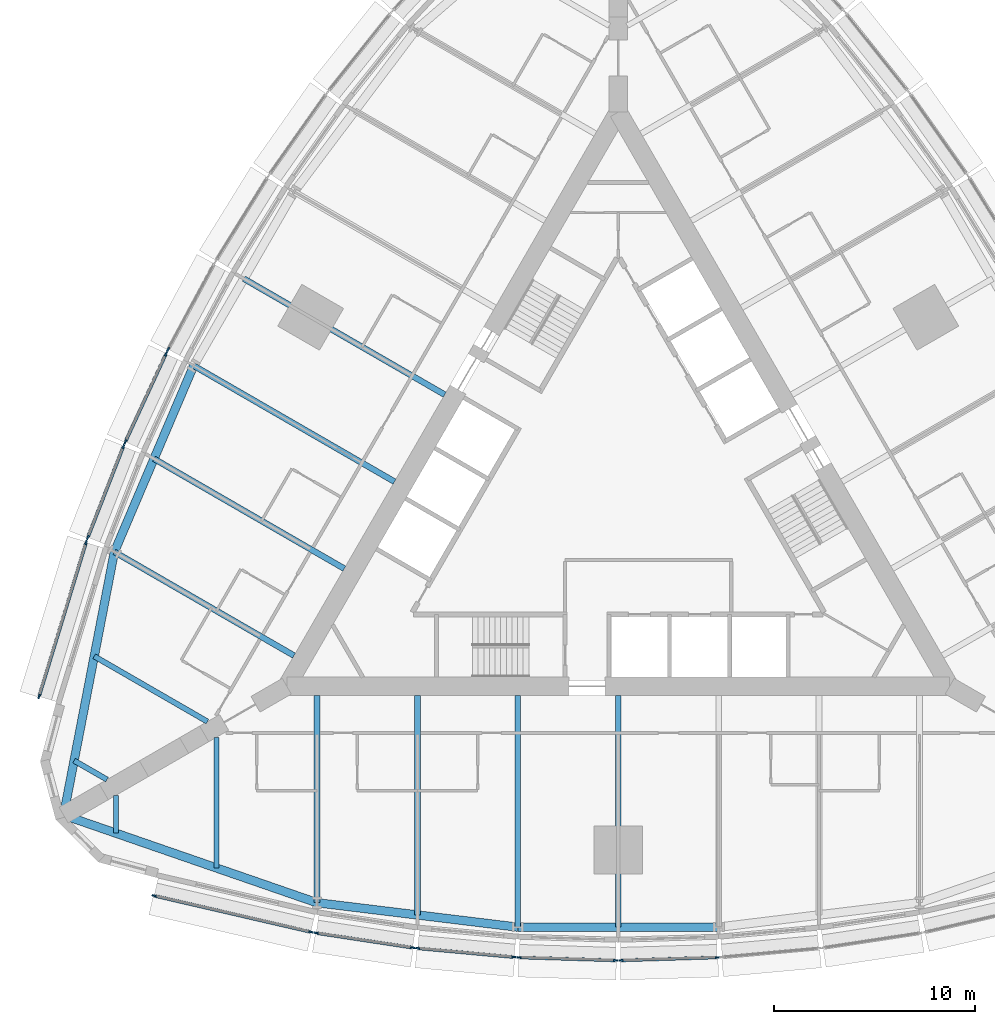
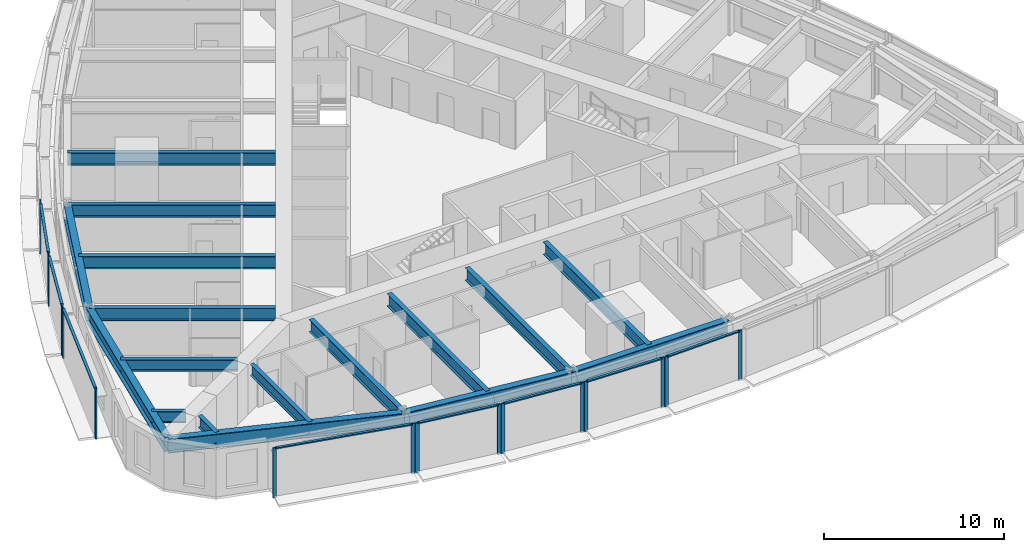
# One storey, part 2 of 14: 25 members, 17 beams, 9 elements without a shape of their own.
"""IFC4 building model written with IfcOpenShell, lengths in metres."""

import ifcopenshell
import ifcopenshell.guid

model = None  # the IFC model being written
_history = None  # IfcOwnerHistory: only IFC2X3 demands one
_inside = {}  # id of a spatial element -> (the spatial element, [elements in it])
_under = {}  # id of a project, library or spatial element -> (it, [spatial elements below it])
_declared = {}  # id of a project -> (the project, [libraries it declares])
_typed = {}  # id of a type object -> (the type object, [elements of that type])
_made_of = {}  # id of a material, layer set ... -> (it, [elements and type objects made of it])


def new_model(schema):
    """Start an empty IFC model of exactly this schema.

    Asked for "IFC4X3", IfcOpenShell would pick the latest addendum, in which some entities
    have other attributes; the version numbers below select the first issue.
    IFC2X3 requires an IfcOwnerHistory on every rooted entity: one is made here for all.
    """
    global model, _history
    if schema == "IFC4X3":
        model = ifcopenshell.file(schema_version=(4, 3, 0, 0))
    else:
        model = ifcopenshell.file(schema=schema)
    _inside.clear()
    _under.clear()
    _declared.clear()
    _typed.clear()
    _made_of.clear()
    _history = None
    if model.schema == "IFC2X3":
        org = make("IfcOrganization", Name="unknown")
        user = make(
            "IfcPersonAndOrganization",
            ThePerson=make("IfcPerson", FamilyName="unknown"),
            TheOrganization=org,
        )
        app = make(
            "IfcApplication",
            ApplicationDeveloper=org,
            Version="unknown",
            ApplicationFullName="unknown",
            ApplicationIdentifier="unknown",
        )
        _history = make(
            "IfcOwnerHistory",
            OwningUser=user,
            OwningApplication=app,
            ChangeAction="ADDED",
            CreationDate=0,
        )
    return model


def make(cls, **values):
    """One entity of the class cls with the attributes given. An attribute that is None is left unset."""
    return model.create_entity(
        cls, **{name: value for name, value in values.items() if value is not None}
    )


def rooted(cls, **values):
    """An entity with a GlobalId (a new one), such as an element, a storey or a relation."""
    return make(cls, GlobalId=ifcopenshell.guid.new(), OwnerHistory=_history, **values)


def si_unit(unit_type, name, prefix=None):
    """IfcSIUnit, for example si_unit("LENGTHUNIT", "METRE", prefix="MILLI")."""
    return make("IfcSIUnit", UnitType=unit_type, Prefix=prefix, Name=name)


def assignment(units):
    """IfcUnitAssignment: the units of a project."""
    return None if units is None else make("IfcUnitAssignment", Units=units)


def point(xyz):
    """IfcCartesianPoint."""
    return None if xyz is None else make("IfcCartesianPoint", Coordinates=xyz)


def direction(xyz):
    """IfcDirection."""
    return None if xyz is None else make("IfcDirection", DirectionRatios=xyz)


def frame(location, z_axis=None, x_axis=None):
    """IfcAxis2Placement3D, a coordinate frame: its origin and axes. An axis left out is left unset."""
    return make(
        "IfcAxis2Placement3D",
        Location=point(location),
        Axis=direction(z_axis),
        RefDirection=direction(x_axis),
    )


def frame_2d(location, x_axis=None):
    """IfcAxis2Placement2D, a coordinate frame in the plane: its origin and x axis."""
    return make(
        "IfcAxis2Placement2D", Location=point(location), RefDirection=direction(x_axis)
    )


def origin():
    """The frame at (0, 0, 0) with its axes left unset."""
    return frame((0.0, 0.0, 0.0))


def origin_2d():
    """The frame at (0, 0) in the plane with its x axis left unset."""
    return frame_2d((0.0, 0.0))


def place(relative_to, where):
    """IfcLocalPlacement: puts the frame where relative to a parent placement (None: the world)."""
    return make(
        "IfcLocalPlacement", PlacementRelTo=relative_to, RelativePlacement=where
    )


def context(
    kind, dimensions, precision=None, world=None, true_north=None, identifier=None
):
    """IfcGeometricRepresentationContext, for example the 3D "Model" context."""
    return make(
        "IfcGeometricRepresentationContext",
        ContextIdentifier=identifier,
        ContextType=kind,
        CoordinateSpaceDimension=dimensions,
        Precision=precision,
        WorldCoordinateSystem=world,
        TrueNorth=true_north,
    )


def subcontext(parent, identifier, kind, view, scale=None):
    """IfcGeometricRepresentationSubContext, for example "Body" below "Model"."""
    return make(
        "IfcGeometricRepresentationSubContext",
        ContextIdentifier=identifier,
        ContextType=kind,
        ParentContext=parent,
        TargetScale=scale,
        TargetView=view,
    )


def project(units=None, contexts=None):
    """IfcProject with its units and contexts."""
    return rooted(
        "IfcProject",
        Name="project",
        RepresentationContexts=contexts,
        UnitsInContext=assignment(units),
    )


def spatial(cls, under=None, at=None, **own):
    """A site, building, storey or space (cls), placed at a placement, below another one or the project."""
    s = rooted(cls, ObjectPlacement=at, **own)
    if under is not None:
        _under.setdefault(under.id(), (under, []))[1].append(s)
    return s


def profile(cls, at=None, kind="AREA", **sizes):
    """A parametric profile (cls). Its sizes go by their IFC names, for example OverallWidth=200.0."""
    return make(cls, ProfileType=kind, Position=at, **sizes)


def rectangle(**sizes):
    """IfcRectangleProfileDef."""
    return profile("IfcRectangleProfileDef", **sizes)


def i_section(**sizes):
    """IfcIShapeProfileDef."""
    return profile("IfcIShapeProfileDef", **sizes)


def extrude(swept, where, along, depth):
    """IfcExtrudedAreaSolid: the profile swept, set in the frame where, extruded along a direction by depth."""
    return make(
        "IfcExtrudedAreaSolid",
        SweptArea=swept,
        Position=where,
        ExtrudedDirection=direction(along),
        Depth=depth,
    )


def shape(context_of_items, identifier, shape_type, items):
    """IfcShapeRepresentation: the items that make up one representation, for example the "Body"."""
    return make(
        "IfcShapeRepresentation",
        ContextOfItems=context_of_items,
        RepresentationIdentifier=identifier,
        RepresentationType=shape_type,
        Items=items,
    )


def material(Name=None, Category=None):
    """IfcMaterial."""
    return make("IfcMaterial", Name=Name, Category=Category)


def material_profile(
    of_material, cross_section, Name=None, Category=None, Priority=None
):
    """IfcMaterialProfile: a cross section and its material."""
    return make(
        "IfcMaterialProfile",
        Name=Name,
        Material=of_material,
        Profile=cross_section,
        Priority=Priority,
        Category=Category,
    )


def profile_set(profiles, Name=None, composite=None):
    """IfcMaterialProfileSet."""
    return make(
        "IfcMaterialProfileSet",
        Name=Name,
        MaterialProfiles=profiles,
        CompositeProfile=composite,
    )


def made_of(thing, what):
    """Note that an element or type object is made of a material, layer set ...; save() writes the relation."""
    if what is not None:
        _made_of.setdefault(what.id(), (what, []))[1].append(thing)
    return thing


def type_object(cls, material=None, **own):
    """A type object (cls), such as IfcWallType, which elements share."""
    return made_of(rooted(cls, **own), material)


def element(
    cls,
    number,
    at=None,
    inside=None,
    cuts=None,
    type_object=None,
    material=None,
    context=None,
    identifier="Body",
    shape_type=None,
    held_by="IfcProductDefinitionShape",
    body=None,
    shapes=None,
    **own,
):
    """One element of the class cls, such as IfcWall. Its Tag is "e" and its number.

    at: its placement. inside: the storey or other place that contains it. cuts: it is an
    opening in that element (IfcRelVoidsElement). A single representation is given by context,
    identifier, shape_type and body (its items); several are given by shapes. held_by: the class
    of the entity that holds the representations. save() writes the other relations.
    """
    e = rooted(cls, Tag="e%d" % number, ObjectPlacement=at, **own)
    if body is not None:
        shapes = [shape(context, identifier, shape_type, body)]
    if shapes is not None:
        e.Representation = make(held_by, Representations=shapes)
    if inside is not None:
        _inside.setdefault(inside.id(), (inside, []))[1].append(e)
    if cuts is not None:
        rooted(
            "IfcRelVoidsElement", RelatingBuildingElement=cuts, RelatedOpeningElement=e
        )
    if type_object is not None:
        _typed.setdefault(type_object.id(), (type_object, []))[1].append(e)
    return made_of(e, material)


def aggregate(whole, parts):
    """IfcRelAggregates: a whole, such as a stair, and the parts it consists of."""
    return rooted("IfcRelAggregates", RelatingObject=whole, RelatedObjects=parts)


def save(model, path):
    """Write the relations noted so far, then the file.

    IfcRelAggregates (storeys below a building ...), IfcRelContainedInSpatialStructure (elements
    in a storey), IfcRelDefinesByType, IfcRelAssociatesMaterial and IfcRelDeclares: one each for
    every whole, place, type object, material and project.
    """
    for whole, parts in _under.values():
        aggregate(whole, parts)
    for where, things in _inside.values():
        rooted(
            "IfcRelContainedInSpatialStructure",
            RelatedElements=things,
            RelatingStructure=where,
        )
    for kind, things in _typed.values():
        rooted("IfcRelDefinesByType", RelatedObjects=things, RelatingType=kind)
    for what, things in _made_of.values():
        rooted("IfcRelAssociatesMaterial", RelatedObjects=things, RelatingMaterial=what)
    for by, libraries in _declared.values():
        rooted("IfcRelDeclares", RelatingContext=by, RelatedDefinitions=libraries)
    model.write(path)


model = new_model("IFC4")

# Units and contexts
model_context = context("Model", 3, precision=1e-05, world=origin(), true_north=direction((0.0, 1.0)))
body_context = subcontext(model_context, "Body", "Model", "MODEL_VIEW")
ifc_project = project(units=[si_unit("LENGTHUNIT", "METRE"), si_unit("AREAUNIT", "SQUARE_METRE"), si_unit("VOLUMEUNIT", "CUBIC_METRE"), si_unit("PLANEANGLEUNIT", "RADIAN"), si_unit("MASSUNIT", "GRAM", prefix="KILO")], contexts=[model_context])

# Site, building, storey
site_placement = place(None, origin())
site = spatial("IfcSite", under=ifc_project, at=site_placement, CompositionType="ELEMENT")
building_placement = place(site_placement, origin())
building = spatial("IfcBuilding", under=site, at=building_placement, Name="Trikona Tower", CompositionType="ELEMENT")
storey_placement = place(building_placement, frame((0.0, 0.0, 38.699951171875)))
storey = spatial("IfcBuildingStorey", under=building, at=storey_placement, Name="L08", CompositionType="ELEMENT", Elevation=38.699951171875)

# Curtain wall, members
ifc_material_1 = material(Name="Aluminium curtain wall system", Category="aluminium")
curtain_wall_type = type_object("IfcCurtainWallType", Name="Curtain wall DS1", PredefinedType="NOTDEFINED", material=ifc_material_1)
curtain_wall_1_placement = place(storey_placement, origin())
curtain_wall_1 = element("IfcCurtainWall", 1, at=curtain_wall_1_placement, inside=storey, type_object=curtain_wall_type, Name="Curtain wall DS1 L08", PredefinedType="NOTDEFINED")
ifc_material_2 = material(Name="Aluminium mullion, pale anodised", Category="aluminium")
ifc_material_profile_1 = material_profile(ifc_material_2, rectangle(XDim=0.080078125, YDim=0.219970703125, at=origin_2d()), Name="MUL-DS1")
ifc_profile_set_1 = profile_set([ifc_material_profile_1], Name="Aluminium mullion, pale anodised")
member_type_1 = type_object("IfcMemberType", Name="Mullion DS1 80x220", PredefinedType="MULLION", material=ifc_profile_set_1)
member_1_placement = place(storey_placement, frame((-23.10546875, -19.951904296875, 0.0), z_axis=(0.0, 0.0, 1.0), x_axis=(0.225343288756, 0.974279427173, 0.0)))
member_1 = element("IfcMember", 2, at=member_1_placement, type_object=member_type_1, Name="CW-DS1 mullion 1", PredefinedType="MULLION", context=body_context, shape_type="SweptSolid", body=[
    extrude(rectangle(XDim=0.080078125, YDim=0.219970703125, at=origin_2d()), origin(), (0.0, 0.0, 1.0), 3.400146484375),
])
member_2_placement = place(storey_placement, frame((-15.30029296875, -21.75732421875, 0.0), z_axis=(0.0, 0.0, 1.0), x_axis=(0.225343288756, 0.974279427173, 0.0)))
member_2 = element("IfcMember", 3, at=member_2_placement, type_object=member_type_1, Name="CW-DS1 mullion 2", PredefinedType="MULLION", context=body_context, shape_type="SweptSolid", body=[
    extrude(rectangle(XDim=0.080078125, YDim=0.219970703125, at=origin_2d()), origin(), (0.0, 0.0, 1.0), 3.400146484375),
])

curtain_wall_2_placement = place(storey_placement, origin())
curtain_wall_2 = element("IfcCurtainWall", 4, at=curtain_wall_2_placement, inside=storey, type_object=curtain_wall_type, Name="Curtain wall DS1 L08", PredefinedType="NOTDEFINED")
member_3_placement = place(storey_placement, frame((-15.03662109375, -21.807861328125, 0.0), z_axis=(0.0, 0.0, 1.0), x_axis=(0.150437693845, 0.988619492156, 0.0)))
member_3 = element("IfcMember", 5, at=member_3_placement, type_object=member_type_1, Name="CW-DS1 mullion 1", PredefinedType="MULLION", context=body_context, shape_type="SweptSolid", body=[
    extrude(rectangle(XDim=0.080078125, YDim=0.219970703125, at=origin_2d()), origin(), (0.0, 0.0, 1.0), 3.400146484375),
])
member_4_placement = place(storey_placement, frame((-10.234130859375, -22.53857421875, 0.0), z_axis=(0.0, 0.0, 1.0), x_axis=(0.150437693845, 0.988619492156, 0.0)))
member_4 = element("IfcMember", 6, at=member_4_placement, type_object=member_type_1, Name="CW-DS1 mullion 2", PredefinedType="MULLION", context=body_context, shape_type="SweptSolid", body=[
    extrude(rectangle(XDim=0.080078125, YDim=0.219970703125, at=origin_2d()), origin(), (0.0, 0.0, 1.0), 3.400146484375),
])

curtain_wall_3_placement = place(storey_placement, origin())
curtain_wall_3 = element("IfcCurtainWall", 7, at=curtain_wall_3_placement, inside=storey, type_object=curtain_wall_type, Name="Curtain wall DS1 L08", PredefinedType="NOTDEFINED")
member_5_placement = place(storey_placement, frame((-9.982177734375, -22.5693359375, 0.0), z_axis=(0.0, 0.0, 1.0), x_axis=(0.090923932737, 0.995857840485, 0.0)))
member_5 = element("IfcMember", 8, at=member_5_placement, type_object=member_type_1, Name="CW-DS1 mullion 1", PredefinedType="MULLION", context=body_context, shape_type="SweptSolid", body=[
    extrude(rectangle(XDim=0.080078125, YDim=0.219970703125, at=origin_2d()), origin(), (0.0, 0.0, 1.0), 3.400146484375),
])
member_6_placement = place(storey_placement, frame((-5.181396484375, -23.007568359375, 0.0), z_axis=(0.0, 0.0, 1.0), x_axis=(0.090923932737, 0.995857840485, 0.0)))
member_6 = element("IfcMember", 9, at=member_6_placement, type_object=member_type_1, Name="CW-DS1 mullion 2", PredefinedType="MULLION", context=body_context, shape_type="SweptSolid", body=[
    extrude(rectangle(XDim=0.080078125, YDim=0.219970703125, at=origin_2d()), origin(), (0.0, 0.0, 1.0), 3.400146484375),
])

curtain_wall_4_placement = place(storey_placement, origin())
curtain_wall_4 = element("IfcCurtainWall", 10, at=curtain_wall_4_placement, inside=storey, type_object=curtain_wall_type, Name="Curtain wall DS1 L08", PredefinedType="NOTDEFINED")
member_7_placement = place(storey_placement, frame((-4.927490234375, -23.02294921875, 0.0), z_axis=(0.0, 0.0, 1.0), x_axis=(0.030436711692, 0.999536695965, 0.0)))
member_7 = element("IfcMember", 11, at=member_7_placement, type_object=member_type_1, Name="CW-DS1 mullion 1", PredefinedType="MULLION", context=body_context, shape_type="SweptSolid", body=[
    extrude(rectangle(XDim=0.080078125, YDim=0.219970703125, at=origin_2d()), origin(), (0.0, 0.0, 1.0), 3.400146484375),
])
member_8_placement = place(storey_placement, frame((-0.12744140625, -23.169189453125, 0.0), z_axis=(0.0, 0.0, 1.0), x_axis=(0.030436711692, 0.999536695965, 0.0)))
member_8 = element("IfcMember", 12, at=member_8_placement, type_object=member_type_1, Name="CW-DS1 mullion 2", PredefinedType="MULLION", context=body_context, shape_type="SweptSolid", body=[
    extrude(rectangle(XDim=0.080078125, YDim=0.219970703125, at=origin_2d()), origin(), (0.0, 0.0, 1.0), 3.400146484375),
])

curtain_wall_5_placement = place(storey_placement, origin())
curtain_wall_5 = element("IfcCurtainWall", 13, at=curtain_wall_5_placement, inside=storey, type_object=curtain_wall_type, Name="Curtain wall DS1 L08", PredefinedType="NOTDEFINED")
member_9_placement = place(storey_placement, frame((0.12744140625, -23.169189453125, 0.0), z_axis=(0.0, 0.0, 1.0), x_axis=(-0.030436711692, 0.999536695965, 0.0)))
member_9 = element("IfcMember", 14, at=member_9_placement, type_object=member_type_1, Name="CW-DS1 mullion 1", PredefinedType="MULLION", context=body_context, shape_type="SweptSolid", body=[
    extrude(rectangle(XDim=0.080078125, YDim=0.219970703125, at=origin_2d()), origin(), (0.0, 0.0, 1.0), 3.400146484375),
])
member_10_placement = place(storey_placement, frame((4.927490234375, -23.02294921875, 0.0), z_axis=(0.0, 0.0, 1.0), x_axis=(-0.030436711692, 0.999536695965, 0.0)))
member_10 = element("IfcMember", 15, at=member_10_placement, type_object=member_type_1, Name="CW-DS1 mullion 2", PredefinedType="MULLION", context=body_context, shape_type="SweptSolid", body=[
    extrude(rectangle(XDim=0.080078125, YDim=0.219970703125, at=origin_2d()), origin(), (0.0, 0.0, 1.0), 3.400146484375),
])

# Curtain wall, member
curtain_wall_6_placement = place(storey_placement, origin())
curtain_wall_6 = element("IfcCurtainWall", 16, at=curtain_wall_6_placement, inside=storey, type_object=curtain_wall_type, Name="Curtain wall DS1 L08", PredefinedType="NOTDEFINED")
member_11_placement = place(storey_placement, frame((-22.402099609375, 7.244140625, 0.0), z_axis=(0.0, 0.0, 1.0), x_axis=(0.880843080975, -0.473408350896, 0.0)))
member_11 = element("IfcMember", 17, at=member_11_placement, type_object=member_type_1, Name="CW-DS1 mullion 2", PredefinedType="MULLION", context=body_context, shape_type="SweptSolid", body=[
    extrude(rectangle(XDim=0.080078125, YDim=0.219970703125, at=origin_2d()), origin(), (0.0, 0.0, 1.0), 3.400146484375),
])
aggregate(curtain_wall_6, [member_11])

# Curtain wall, members
curtain_wall_7_placement = place(storey_placement, origin())
curtain_wall_7 = element("IfcCurtainWall", 18, at=curtain_wall_7_placement, inside=storey, type_object=curtain_wall_type, Name="Curtain wall DS1 L08", PredefinedType="NOTDEFINED")
member_12_placement = place(storey_placement, frame((-22.515869140625, 7.0166015625, 0.0), z_axis=(0.0, 0.0, 1.0), x_axis=(0.907898459992, -0.419190155352, 0.0)))
member_12 = element("IfcMember", 19, at=member_12_placement, type_object=member_type_1, Name="CW-DS1 mullion 1", PredefinedType="MULLION", context=body_context, shape_type="SweptSolid", body=[
    extrude(rectangle(XDim=0.080078125, YDim=0.219970703125, at=origin_2d()), origin(), (0.0, 0.0, 1.0), 3.400146484375),
])
member_13_placement = place(storey_placement, frame((-24.53662109375, 2.6396484375, 0.0), z_axis=(0.0, 0.0, 1.0), x_axis=(0.907898459992, -0.419190155352, 0.0)))
member_13 = element("IfcMember", 20, at=member_13_placement, type_object=member_type_1, Name="CW-DS1 mullion 2", PredefinedType="MULLION", context=body_context, shape_type="SweptSolid", body=[
    extrude(rectangle(XDim=0.080078125, YDim=0.219970703125, at=origin_2d()), origin(), (0.0, 0.0, 1.0), 3.400146484375),
])

curtain_wall_8_placement = place(storey_placement, origin())
curtain_wall_8 = element("IfcCurtainWall", 21, at=curtain_wall_8_placement, inside=storey, type_object=curtain_wall_type, Name="Curtain wall DS1 L08", PredefinedType="NOTDEFINED")
member_14_placement = place(storey_placement, frame((-24.63623046875, 2.40625, 0.0), z_axis=(0.0, 0.0, 1.0), x_axis=(0.931395989443, -0.36400756977, 0.0)))
member_14 = element("IfcMember", 22, at=member_14_placement, type_object=member_type_1, Name="CW-DS1 mullion 1", PredefinedType="MULLION", context=body_context, shape_type="SweptSolid", body=[
    extrude(rectangle(XDim=0.080078125, YDim=0.219970703125, at=origin_2d()), origin(), (0.0, 0.0, 1.0), 3.400146484375),
])
member_15_placement = place(storey_placement, frame((-26.404296875, -2.1181640625, 0.0), z_axis=(0.0, 0.0, 1.0), x_axis=(0.931395989443, -0.36400756977, 0.0)))
member_15 = element("IfcMember", 23, at=member_15_placement, type_object=member_type_1, Name="CW-DS1 mullion 2", PredefinedType="MULLION", context=body_context, shape_type="SweptSolid", body=[
    extrude(rectangle(XDim=0.080078125, YDim=0.219970703125, at=origin_2d()), origin(), (0.0, 0.0, 1.0), 3.400146484375),
])

curtain_wall_9_placement = place(storey_placement, origin())
curtain_wall_9 = element("IfcCurtainWall", 24, at=curtain_wall_9_placement, inside=storey, type_object=curtain_wall_type, Name="Curtain wall DS1 L08", PredefinedType="NOTDEFINED")
member_16_placement = place(storey_placement, frame((-26.492431640625, -2.371826171875, 0.0), z_axis=(0.0, 0.0, 1.0), x_axis=(0.956423115383, -0.291984287868, 0.0)))
member_16 = element("IfcMember", 25, at=member_16_placement, type_object=member_type_1, Name="CW-DS1 mullion 1", PredefinedType="MULLION", context=body_context, shape_type="SweptSolid", body=[
    extrude(rectangle(XDim=0.080078125, YDim=0.219970703125, at=origin_2d()), origin(), (0.0, 0.0, 1.0), 3.400146484375),
])
member_17_placement = place(storey_placement, frame((-28.83154296875, -10.033935546875, 0.0), z_axis=(0.0, 0.0, 1.0), x_axis=(0.956423115383, -0.291984287868, 0.0)))
member_17 = element("IfcMember", 26, at=member_17_placement, type_object=member_type_1, Name="CW-DS1 mullion 2", PredefinedType="MULLION", context=body_context, shape_type="SweptSolid", body=[
    extrude(rectangle(XDim=0.080078125, YDim=0.219970703125, at=origin_2d()), origin(), (0.0, 0.0, 1.0), 3.400146484375),
])

# Beams
ifc_material_3 = material(Name="Steel ASTM A992 Grade 50", Category="steel")
ifc_material_profile_2 = material_profile(ifc_material_3, i_section(OverallWidth=0.2666015625, OverallDepth=0.76953125, WebThickness=0.015625, FlangeThickness=0.025390625, at=origin_2d()), Name="W30X132")
ifc_profile_set_2 = profile_set([ifc_material_profile_2], Name="Steel ASTM A992 Grade 50")
beam_type_1 = type_object("IfcBeamType", Name="Steel beam W30x132 (wedge)", PredefinedType="BEAM", material=ifc_profile_set_2)
beam_1_placement = place(storey_placement, frame((-25.0, -14.953369140625, 2.850341796875), z_axis=(0.0, -1.0, 0.0), x_axis=(1.0, 0.0, 0.0)))
element("IfcBeam", 27, at=beam_1_placement, inside=storey, type_object=beam_type_1, Name="Floor beam L09 F1 u-25", PredefinedType="BEAM", context=body_context, shape_type="SweptSolid", body=[
    extrude(i_section(OverallWidth=0.2666015625, OverallDepth=0.76953125, WebThickness=0.015625, FlangeThickness=0.025390625, at=origin_2d()), origin(), (0.0, 0.0, 1.0), 1.890380859375),
])
for number, where, z_axis, x_axis, name in (
    (28, (-20.0, -12.066650390625, 2.850341796875), (0.0, -1.0, 0.0), (1.0, 0.0, 0.0), "Floor beam L09 F1 u-20"),
    (29, (-20.449951171875, -11.287109375, 2.850341796875), (-0.866022504693, 0.50000502134, 0.0), (-0.50000502134, -0.866022504693, 0.0), "Floor beam L09 F3 u20"),
):
    element("IfcBeam", number, at=place(storey_placement, frame(where, z_axis=z_axis, x_axis=x_axis)), inside=storey, type_object=beam_type_1, Name=name, PredefinedType="BEAM", context=body_context, shape_type="SweptSolid", body=[
        extrude(i_section(OverallWidth=0.2666015625, OverallDepth=0.76953125, WebThickness=0.015625, FlangeThickness=0.025390625, at=origin_2d()), origin(), (0.0, 0.0, 1.0), 6.5068359375),
    ])
beam_2_placement = place(storey_placement, frame((-25.449951171875, -14.173828125, 2.850341796875), z_axis=(-0.866065156741, 0.499931139538, 0.0), x_axis=(-0.499931139538, -0.866065156741, 0.0)))
element("IfcBeam", 30, at=beam_2_placement, inside=storey, type_object=beam_type_1, Name="Floor beam L09 F3 u25", PredefinedType="BEAM", context=body_context, shape_type="SweptSolid", body=[
    extrude(i_section(OverallWidth=0.2666015625, OverallDepth=0.76953125, WebThickness=0.015625, FlangeThickness=0.025390625, at=origin_2d()), origin(), (0.0, 0.0, 1.0), 1.890380859375),
])
ifc_material_4 = material(Name="Steel ASTM A992 Grade 50", Category="steel")
ifc_material_profile_3 = material_profile(ifc_material_4, i_section(OverallWidth=0.2919921875, OverallDepth=0.845703125, WebThickness=0.015380859375, FlangeThickness=0.0244140625, at=origin_2d()), Name="W33X141")
ifc_profile_set_3 = profile_set([ifc_material_profile_3], Name="Steel ASTM A992 Grade 50")
beam_type_2 = type_object("IfcBeamType", Name="Steel beam W33x141 (radial typ)", PredefinedType="BEAM", material=ifc_profile_set_3)
beam_3_placement = place(storey_placement, frame((-15.0, -9.976318359375, 2.812255859375), z_axis=(0.0, -1.0, 0.0), x_axis=(1.0, 0.0, 0.0)))
element("IfcBeam", 31, at=beam_3_placement, inside=storey, type_object=beam_type_2, Name="Floor beam L09 F1 u-15", PredefinedType="BEAM", context=body_context, shape_type="SweptSolid", body=[
    extrude(i_section(OverallWidth=0.2919921875, OverallDepth=0.845703125, WebThickness=0.015380859375, FlangeThickness=0.0244140625, at=origin_2d()), origin(), (0.0, 0.0, 1.0), 10.32666015625),
])
beam_4_placement = place(storey_placement, frame((-10.0, -9.976318359375, 2.812255859375), z_axis=(0.0, -1.0, 0.0), x_axis=(1.0, 0.0, 0.0)))
element("IfcBeam", 32, at=beam_4_placement, inside=storey, type_object=beam_type_2, Name="Floor beam L09 F1 u-10", PredefinedType="BEAM", context=body_context, shape_type="SweptSolid", body=[
    extrude(i_section(OverallWidth=0.2919921875, OverallDepth=0.845703125, WebThickness=0.015380859375, FlangeThickness=0.0244140625, at=origin_2d()), origin(), (0.0, 0.0, 1.0), 10.935302734375),
])
for number, where, z_axis, x_axis, name in (
    (33, (-5.0, -9.976318359375, 2.812255859375), (0.0, -1.0, 0.0), (1.0, 0.0, 0.0), "Floor beam L09 F1 u-5"),
    (34, (0.0, -9.976318359375, 2.812255859375), (0.0, -1.0, 0.0), (1.0, 0.0, 0.0), "Floor beam L09 F1 u0"),
    (35, (-8.6396484375, 4.988037109375, 2.812255859375), (-0.866020765707, 0.500008033299, 0.0), (-0.500008033299, -0.866020765707, 0.0), "Floor beam L09 F3 u0"),
    (36, (-11.1396484375, 0.657958984375, 2.812255859375), (-0.866020765707, 0.500008033299, 0.0), (-0.500008033299, -0.866020765707, 0.0), "Floor beam L09 F3 u5"),
):
    element("IfcBeam", number, at=place(storey_placement, frame(where, z_axis=z_axis, x_axis=x_axis)), inside=storey, type_object=beam_type_2, Name=name, PredefinedType="BEAM", context=body_context, shape_type="SweptSolid", body=[
        extrude(i_section(OverallWidth=0.2919921875, OverallDepth=0.845703125, WebThickness=0.015380859375, FlangeThickness=0.0244140625, at=origin_2d()), origin(), (0.0, 0.0, 1.0), 11.544189453125),
    ])
beam_5_placement = place(storey_placement, frame((-13.6396484375, -3.672119140625, 2.812255859375), z_axis=(-0.866025348605, 0.500000095573, 0.0), x_axis=(-0.500000095573, -0.866025348605, 0.0)))
element("IfcBeam", 37, at=beam_5_placement, inside=storey, type_object=beam_type_2, Name="Floor beam L09 F3 u10", PredefinedType="BEAM", context=body_context, shape_type="SweptSolid", body=[
    extrude(i_section(OverallWidth=0.2919921875, OverallDepth=0.845703125, WebThickness=0.015380859375, FlangeThickness=0.0244140625, at=origin_2d()), origin(), (0.0, 0.0, 1.0), 10.935546875),
])
beam_6_placement = place(storey_placement, frame((-16.1396484375, -8.002197265625, 2.812255859375), z_axis=(-0.866030471684, 0.499991222037, 0.0), x_axis=(-0.499991222037, -0.866030471684, 0.0)))
element("IfcBeam", 38, at=beam_6_placement, inside=storey, type_object=beam_type_2, Name="Floor beam L09 F3 u15", PredefinedType="BEAM", context=body_context, shape_type="SweptSolid", body=[
    extrude(i_section(OverallWidth=0.2919921875, OverallDepth=0.845703125, WebThickness=0.015380859375, FlangeThickness=0.0244140625, at=origin_2d()), origin(), (0.0, 0.0, 1.0), 10.326904296875),
])
ifc_material_5 = material(Name="Steel ASTM A992 Grade 50", Category="steel")
ifc_material_profile_4 = material_profile(ifc_material_5, i_section(OverallWidth=0.424072265625, OverallDepth=0.947509765625, WebThickness=0.02392578125, FlangeThickness=0.042724609375, at=origin_2d()), Name="W36X302")
ifc_profile_set_4 = profile_set([ifc_material_profile_4], Name="Steel ASTM A992 Grade 50")
beam_type_3 = type_object("IfcBeamType", Name="Steel beam W36x302 (spandrel)", PredefinedType="SPANDREL", material=ifc_profile_set_4)
beam_7_placement = place(storey_placement, frame((-27.6103515625, -15.94091796875, 2.76123046875), z_axis=(0.945056965739, -0.326905692071, 0.0), x_axis=(0.326905692071, 0.945056965739, 0.0)))
element("IfcBeam", 39, at=beam_7_placement, inside=storey, type_object=beam_type_3, Name="Spandrel beam L09 F1-1", PredefinedType="SPANDREL", context=body_context, shape_type="SweptSolid", body=[
    extrude(i_section(OverallWidth=0.424072265625, OverallDepth=0.947509765625, WebThickness=0.02392578125, FlangeThickness=0.042724609375, at=origin_2d()), origin(), (0.0, 0.0, 1.0), 13.343505859375),
])
beam_8_placement = place(storey_placement, frame((-15.0, -20.302978515625, 2.76123046875), z_axis=(0.99266951126, -0.120860421207, 0.0), x_axis=(0.120860421207, 0.99266951126, 0.0)))
element("IfcBeam", 40, at=beam_8_placement, inside=storey, type_object=beam_type_3, Name="Spandrel beam L09 F1-2", PredefinedType="SPANDREL", context=body_context, shape_type="SweptSolid", body=[
    extrude(i_section(OverallWidth=0.424072265625, OverallDepth=0.947509765625, WebThickness=0.02392578125, FlangeThickness=0.042724609375, at=origin_2d()), origin(), (0.0, 0.0, 1.0), 10.07373046875),
])
beam_9_placement = place(storey_placement, frame((-5.0, -21.5205078125, 2.76123046875), z_axis=(1.0, 0.0, 0.0), x_axis=(0.0, 1.0, 0.0)))
element("IfcBeam", 41, at=beam_9_placement, inside=storey, type_object=beam_type_3, Name="Spandrel beam L09 F1-3", PredefinedType="SPANDREL", context=body_context, shape_type="SweptSolid", body=[
    extrude(i_section(OverallWidth=0.424072265625, OverallDepth=0.947509765625, WebThickness=0.02392578125, FlangeThickness=0.042724609375, at=origin_2d()), origin(), (0.0, 0.0, 1.0), 10.0),
])
beam_10_placement = place(storey_placement, frame((-21.13720703125, 6.43017578125, 2.76123046875), z_axis=(-0.391683514847, -0.920100007715, 0.0), x_axis=(0.920100007715, -0.391683514847, 0.0)))
element("IfcBeam", 42, at=beam_10_placement, inside=storey, type_object=beam_type_3, Name="Spandrel beam L09 F3-4", PredefinedType="SPANDREL", context=body_context, shape_type="SweptSolid", body=[
    extrude(i_section(OverallWidth=0.424072265625, OverallDepth=0.947509765625, WebThickness=0.02392578125, FlangeThickness=0.042724609375, at=origin_2d()), origin(), (0.0, 0.0, 1.0), 10.073974609375),
])
beam_11_placement = place(storey_placement, frame((-25.0830078125, -2.8388671875, 2.76123046875), z_axis=(-0.189405184036, -0.981899015307, 0.0), x_axis=(0.981899015307, -0.189405184036, 0.0)))
element("IfcBeam", 43, at=beam_11_placement, inside=storey, type_object=beam_type_3, Name="Spandrel beam L09 F3-5", PredefinedType="SPANDREL", context=body_context, shape_type="SweptSolid", body=[
    extrude(i_section(OverallWidth=0.424072265625, OverallDepth=0.947509765625, WebThickness=0.02392578125, FlangeThickness=0.042724609375, at=origin_2d()), origin(), (0.0, 0.0, 1.0), 13.343505859375),
])

# Member
ifc_material_6 = material(Name="Aluminium transom, pale anodised", Category="aluminium")
ifc_material_profile_5 = material_profile(ifc_material_6, rectangle(XDim=0.159912109375, YDim=0.080078125, at=origin_2d()), Name="TRN-DS1")
ifc_profile_set_5 = profile_set([ifc_material_profile_5], Name="Aluminium transom, pale anodised")
member_type_2 = type_object("IfcMemberType", Name="Transom DS1 80x160", PredefinedType="USERDEFINED", material=ifc_profile_set_5)
member_18_placement = place(storey_placement, frame((-23.06640625, -19.9609375, 3.360107421875), z_axis=(0.974275371842, -0.225360821398, 0.0), x_axis=(0.225360821398, 0.974275371842, 0.0)))
member_18 = element("IfcMember", 44, at=member_18_placement, type_object=member_type_2, Name="CW-DS1 transom 1.1", ObjectType="TRANSOM", PredefinedType="USERDEFINED", context=body_context, shape_type="SweptSolid", body=[
    extrude(rectangle(XDim=0.159912109375, YDim=0.080078125, at=origin_2d()), origin(), (0.0, 0.0, 1.0), 7.93115234375),
])

aggregate(curtain_wall_1, [member_1, member_2, member_18])

member_19_placement = place(storey_placement, frame((-14.9970703125, -21.813720703125, 3.360107421875), z_axis=(0.988619663412, -0.150436568413, 0.0), x_axis=(0.150436568413, 0.988619663412, 0.0)))
member_19 = element("IfcMember", 45, at=member_19_placement, type_object=member_type_2, Name="CW-DS1 transom 1.1", ObjectType="TRANSOM", PredefinedType="USERDEFINED", context=body_context, shape_type="SweptSolid", body=[
    extrude(rectangle(XDim=0.159912109375, YDim=0.080078125, at=origin_2d()), origin(), (0.0, 0.0, 1.0), 4.77783203125),
])

aggregate(curtain_wall_2, [member_3, member_4, member_19])

member_20_placement = place(storey_placement, frame((-9.9423828125, -22.57275390625, 3.360107421875), z_axis=(0.995855977008, -0.090944340438, 0.0), x_axis=(0.090944340438, 0.995855977008, 0.0)))
member_20 = element("IfcMember", 46, at=member_20_placement, type_object=member_type_2, Name="CW-DS1 transom 1.1", ObjectType="TRANSOM", PredefinedType="USERDEFINED", context=body_context, shape_type="SweptSolid", body=[
    extrude(rectangle(XDim=0.159912109375, YDim=0.080078125, at=origin_2d()), origin(), (0.0, 0.0, 1.0), 4.74072265625),
])

aggregate(curtain_wall_3, [member_5, member_6, member_20])

member_21_placement = place(storey_placement, frame((-4.887451171875, -23.024169921875, 3.360107421875), z_axis=(0.999536232946, -0.030451913371, 0.0), x_axis=(0.030451913371, 0.999536232946, 0.0)))
member_21 = element("IfcMember", 47, at=member_21_placement, type_object=member_type_2, Name="CW-DS1 transom 1.1", ObjectType="TRANSOM", PredefinedType="USERDEFINED", context=body_context, shape_type="SweptSolid", body=[
    extrude(rectangle(XDim=0.159912109375, YDim=0.080078125, at=origin_2d()), origin(), (0.0, 0.0, 1.0), 4.72216796875),
])

aggregate(curtain_wall_4, [member_7, member_8, member_21])

member_22_placement = place(storey_placement, frame((0.16748046875, -23.16796875, 3.360107421875), z_axis=(0.999536232946, 0.030451913371, 0.0), x_axis=(-0.030451913371, 0.999536232946, 0.0)))
member_22 = element("IfcMember", 48, at=member_22_placement, type_object=member_type_2, Name="CW-DS1 transom 1.1", ObjectType="TRANSOM", PredefinedType="USERDEFINED", context=body_context, shape_type="SweptSolid", body=[
    extrude(rectangle(XDim=0.159912109375, YDim=0.080078125, at=origin_2d()), origin(), (0.0, 0.0, 1.0), 4.72216796875),
])

aggregate(curtain_wall_5, [member_9, member_10, member_22])

member_23_placement = place(storey_placement, frame((-22.53271484375, 6.980224609375, 3.360107421875), z_axis=(-0.419188800665, -0.90789908547, 0.0), x_axis=(0.90789908547, -0.419188800665, 0.0)))
member_23 = element("IfcMember", 49, at=member_23_placement, type_object=member_type_2, Name="CW-DS1 transom 1.1", ObjectType="TRANSOM", PredefinedType="USERDEFINED", context=body_context, shape_type="SweptSolid", body=[
    extrude(rectangle(XDim=0.159912109375, YDim=0.080078125, at=origin_2d()), origin(), (0.0, 0.0, 1.0), 4.74072265625),
])

aggregate(curtain_wall_7, [member_12, member_13, member_23])

member_24_placement = place(storey_placement, frame((-24.650634765625, 2.368896484375, 3.360107421875), z_axis=(-0.364048647668, -0.931379934362, 0.0), x_axis=(0.931379934362, -0.364048647668, 0.0)))
member_24 = element("IfcMember", 50, at=member_24_placement, type_object=member_type_2, Name="CW-DS1 transom 1.1", ObjectType="TRANSOM", PredefinedType="USERDEFINED", context=body_context, shape_type="SweptSolid", body=[
    extrude(rectangle(XDim=0.159912109375, YDim=0.080078125, at=origin_2d()), origin(), (0.0, 0.0, 1.0), 4.777587890625),
])

aggregate(curtain_wall_8, [member_14, member_15, member_24])

member_25_placement = place(storey_placement, frame((-26.504150390625, -2.409912109375, 3.360107421875), z_axis=(-0.291967490203, -0.956428243343, 0.0), x_axis=(0.956428243343, -0.291967490203, 0.0)))
member_25 = element("IfcMember", 51, at=member_25_placement, type_object=member_type_2, Name="CW-DS1 transom 1.1", ObjectType="TRANSOM", PredefinedType="USERDEFINED", context=body_context, shape_type="SweptSolid", body=[
    extrude(rectangle(XDim=0.159912109375, YDim=0.080078125, at=origin_2d()), origin(), (0.0, 0.0, 1.0), 7.93115234375),
])

aggregate(curtain_wall_9, [member_16, member_17, member_25])

save(model, "model.ifc")
